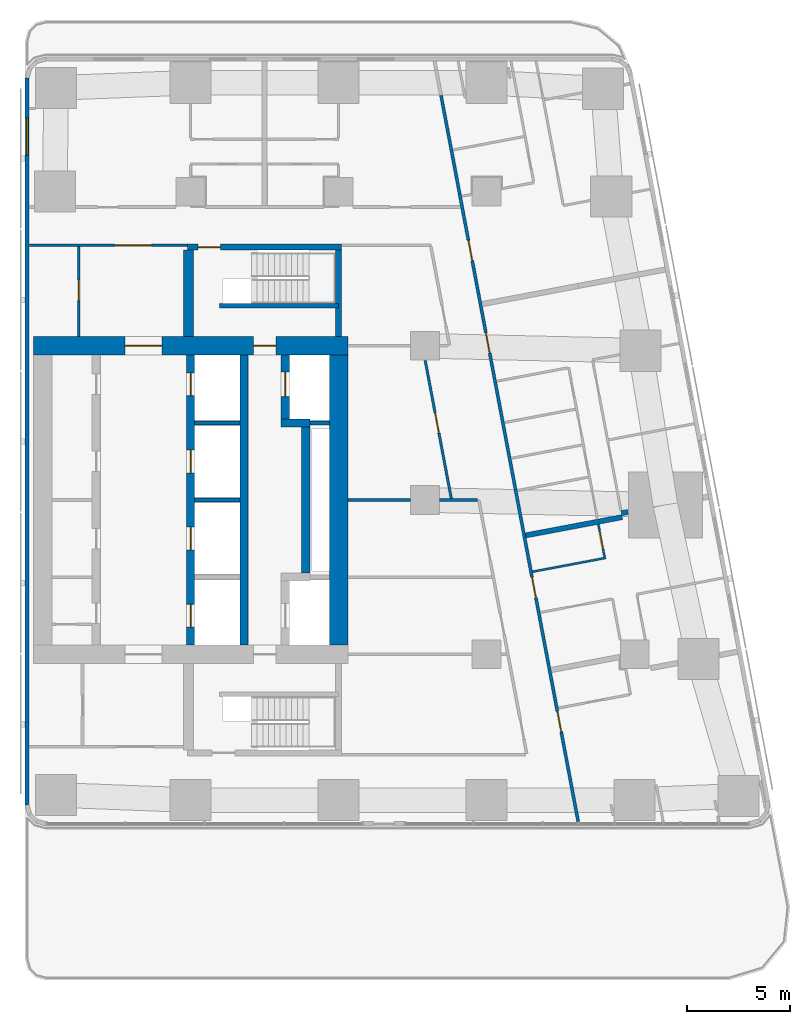
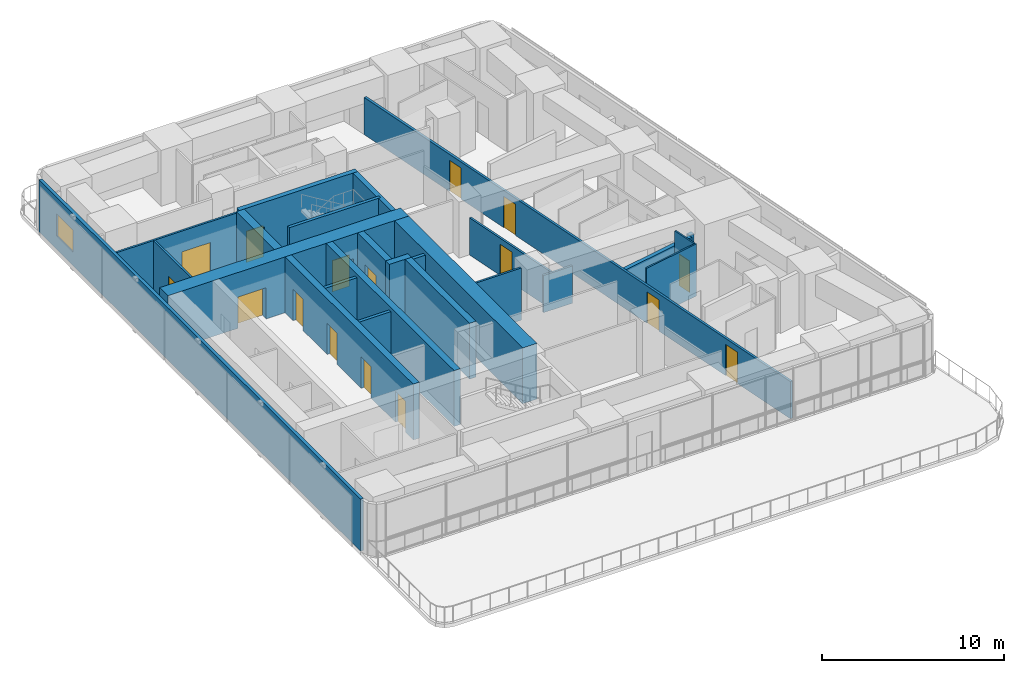
# One storey, part 6 of 12: 25 walls, 16 doors, 1 window, 17 openings.
"""IFC4 building model written with IfcOpenShell, lengths in metres."""

from ifc_helpers import new_model, si_unit, direction, frame, frame_2d, origin, place, context, subcontext, project, spatial, rectangle, extrude, material, layer, layer_set, type_object, element, fill, save


model = new_model("IFC4")

# Units and contexts
model_context = context("Model", 3, precision=1e-05, world=origin(), true_north=direction((0.0, 1.0)))
body_context = subcontext(model_context, "Body", "Model", "MODEL_VIEW")
ifc_project = project(units=[si_unit("LENGTHUNIT", "METRE"), si_unit("AREAUNIT", "SQUARE_METRE"), si_unit("VOLUMEUNIT", "CUBIC_METRE"), si_unit("PLANEANGLEUNIT", "RADIAN"), si_unit("MASSUNIT", "GRAM", prefix="KILO")], contexts=[model_context])

# Site, building, storey
site_placement = place(None, origin())
site = spatial("IfcSite", under=ifc_project, at=site_placement, CompositionType="ELEMENT")
building_placement = place(site_placement, origin())
building = spatial("IfcBuilding", under=site, at=building_placement, Name="Sheger Commons Tower", CompositionType="ELEMENT")
storey_placement = place(building_placement, frame((0.0, 0.0, 251.60009765625)))
storey = spatial("IfcBuildingStorey", under=building, at=storey_placement, Name="L64", CompositionType="ELEMENT", Elevation=251.60009765625)

# Wall, openings, doors
ifc_material_1 = material(Name="Concrete C50/60", Category="concrete")
ifc_layer_1 = layer(ifc_material_1, 0.39990234375)
ifc_layer_set_1 = layer_set([ifc_layer_1], Name="CORE INNER WALL 400")
wall_type_1 = type_object("IfcWallType", Name="CORE INNER WALL 400", PredefinedType="SHEAR", material=ifc_layer_set_1)
wall_1_placement = place(storey_placement, frame((21.60009765625, 15.449951171875, 0.0), z_axis=(0.0, 0.0, 1.0), x_axis=(0.0, 1.0, 0.0)))
wall_1 = element("IfcWall", 1, at=wall_1_placement, inside=storey, type_object=wall_type_1, Name="Core inner wall L L64", PredefinedType="SHEAR", context=body_context, shape_type="SweptSolid", body=[
    extrude(rectangle(XDim=14.10009765625, YDim=0.39990234375, at=frame_2d((7.050048828125, 0.0))), origin(), (0.0, 0.0, 1.0), 3.75),
])
opening_1_placement = place(wall_1_placement, frame((0.875, 0.0, 0.0)))
opening_1 = element("IfcOpeningElement", 2, at=opening_1_placement, cuts=wall_1, Name="Opening LD", PredefinedType="OPENING", context=body_context, shape_type="SweptSolid", body=[
    extrude(rectangle(XDim=1.10009765625, YDim=2.10009765625, at=frame_2d((0.550048828125, 1.050048828125))), frame((0.0, 0.2099609375, 0.0), z_axis=(0.0, -1.0, 0.0), x_axis=(1.0, 0.0, 0.0)), (0.0, 0.0, 1.0), 0.419921875),
])
opening_2_placement = place(wall_1_placement, frame((4.625, 0.0, 0.0)))
opening_2 = element("IfcOpeningElement", 3, at=opening_2_placement, cuts=wall_1, Name="Opening LD", PredefinedType="OPENING", context=body_context, shape_type="SweptSolid", body=[
    extrude(rectangle(XDim=1.10009765625, YDim=2.10009765625, at=frame_2d((0.550048828125, 1.050048828125))), frame((0.0, 0.2099609375, 0.0), z_axis=(0.0, -1.0, 0.0), x_axis=(1.0, 0.0, 0.0)), (0.0, 0.0, 1.0), 0.419921875),
])
opening_3_placement = place(wall_1_placement, frame((8.375, 0.0, 0.0)))
opening_3 = element("IfcOpeningElement", 4, at=opening_3_placement, cuts=wall_1, Name="Opening LD", PredefinedType="OPENING", context=body_context, shape_type="SweptSolid", body=[
    extrude(rectangle(XDim=1.10009765625, YDim=2.10009765625, at=frame_2d((0.550048828125, 1.050048828125))), frame((0.0, 0.2099609375, 0.0), z_axis=(0.0, -1.0, 0.0), x_axis=(1.0, 0.0, 0.0)), (0.0, 0.0, 1.0), 0.419921875),
])
opening_4_placement = place(wall_1_placement, frame((12.125, 0.0, 0.0)))
opening_4 = element("IfcOpeningElement", 5, at=opening_4_placement, cuts=wall_1, Name="Opening LD", PredefinedType="OPENING", context=body_context, shape_type="SweptSolid", body=[
    extrude(rectangle(XDim=1.10009765625, YDim=2.10009765625, at=frame_2d((0.550048828125, 1.050048828125))), frame((0.0, 0.2099609375, 0.0), z_axis=(0.0, -1.0, 0.0), x_axis=(1.0, 0.0, 0.0)), (0.0, 0.0, 1.0), 0.419921875),
])
ifc_material_2 = material(Name="Steel door set, fire rated", Category="steel")
door_type_1 = type_object("IfcDoorType", Name="LIFT LANDING DOOR 1100x2100", OperationType="DOUBLE_DOOR_SLIDING", PredefinedType="DOOR", material=ifc_material_2)
door_1_placement = place(opening_1_placement, origin())
door_1 = element("IfcDoor", 6, at=door_1_placement, inside=storey, type_object=door_type_1, Name="Lift LB1 landing door", OperationType="DOUBLE_DOOR_SLIDING", OverallHeight=2.10009765625, OverallWidth=1.10009765625, PredefinedType="DOOR", context=body_context, shape_type="SweptSolid", body=[
    extrude(rectangle(XDim=1.10009765625, YDim=2.10009765625, at=frame_2d((0.550048828125, 1.050048828125))), frame((0.0, 0.02490234375, 0.0), z_axis=(0.0, -1.0, 0.0), x_axis=(1.0, 0.0, 0.0)), (0.0, 0.0, 1.0), 0.050048828125),
])
fill(opening_1, door_1)
door_2_placement = place(opening_2_placement, origin())
door_2 = element("IfcDoor", 7, at=door_2_placement, inside=storey, type_object=door_type_1, Name="Lift LB2 landing door", OperationType="DOUBLE_DOOR_SLIDING", OverallHeight=2.10009765625, OverallWidth=1.10009765625, PredefinedType="DOOR", context=body_context, shape_type="SweptSolid", body=[
    extrude(rectangle(XDim=1.10009765625, YDim=2.10009765625, at=frame_2d((0.550048828125, 1.050048828125))), frame((0.0, 0.02490234375, 0.0), z_axis=(0.0, -1.0, 0.0), x_axis=(1.0, 0.0, 0.0)), (0.0, 0.0, 1.0), 0.050048828125),
])
fill(opening_2, door_2)
door_3_placement = place(opening_3_placement, origin())
door_3 = element("IfcDoor", 8, at=door_3_placement, inside=storey, type_object=door_type_1, Name="Lift LB3 landing door", OperationType="DOUBLE_DOOR_SLIDING", OverallHeight=2.10009765625, OverallWidth=1.10009765625, PredefinedType="DOOR", context=body_context, shape_type="SweptSolid", body=[
    extrude(rectangle(XDim=1.10009765625, YDim=2.10009765625, at=frame_2d((0.550048828125, 1.050048828125))), frame((0.0, 0.02490234375, 0.0), z_axis=(0.0, -1.0, 0.0), x_axis=(1.0, 0.0, 0.0)), (0.0, 0.0, 1.0), 0.050048828125),
])
fill(opening_3, door_3)
door_4_placement = place(opening_4_placement, origin())
door_4 = element("IfcDoor", 9, at=door_4_placement, inside=storey, type_object=door_type_1, Name="Lift LB4 landing door", OperationType="DOUBLE_DOOR_SLIDING", OverallHeight=2.10009765625, OverallWidth=1.10009765625, PredefinedType="DOOR", context=body_context, shape_type="SweptSolid", body=[
    extrude(rectangle(XDim=1.10009765625, YDim=2.10009765625, at=frame_2d((0.550048828125, 1.050048828125))), frame((0.0, 0.02490234375, 0.0), z_axis=(0.0, -1.0, 0.0), x_axis=(1.0, 0.0, 0.0)), (0.0, 0.0, 1.0), 0.050048828125),
])
fill(opening_4, door_4)

# Walls
wall_2_placement = place(storey_placement, frame((24.199951171875, 15.449951171875, 0.0), z_axis=(0.0, 0.0, 1.0), x_axis=(0.0, 1.0, 0.0)))
element("IfcWall", 10, at=wall_2_placement, inside=storey, type_object=wall_type_1, Name="Core inner wall B L64", PredefinedType="SHEAR", context=body_context, shape_type="SweptSolid", body=[
    extrude(rectangle(XDim=14.10009765625, YDim=0.39990234375, at=frame_2d((7.050048828125, 0.0))), origin(), (0.0, 0.0, 1.0), 3.75),
])
wall_3_placement = place(storey_placement, frame((27.199951171875, 18.949951171875, 0.0), z_axis=(0.0, 0.0, 1.0), x_axis=(0.0, 1.0, 0.0)))
element("IfcWall", 11, at=wall_3_placement, inside=storey, type_object=wall_type_1, Name="Core inner wall F middle L64", PredefinedType="SHEAR", context=body_context, shape_type="SweptSolid", body=[
    extrude(rectangle(XDim=7.10009765625, YDim=0.39990234375, at=frame_2d((3.550048828125, 0.0))), origin(), (0.0, 0.0, 1.0), 3.75),
])
wall_4_placement = place(storey_placement, frame((26.0, 26.25, 0.0), z_axis=(0.0, 0.0, 1.0), x_axis=(1.0, 0.0, 0.0)))
element("IfcWall", 12, at=wall_4_placement, inside=storey, type_object=wall_type_1, Name="Core inner wall F north return L64", PredefinedType="SHEAR", context=body_context, shape_type="SweptSolid", body=[
    extrude(rectangle(XDim=1.39990234375, YDim=0.39990234375, at=frame_2d((0.699951171875, 0.0))), origin(), (0.0, 0.0, 1.0), 3.75),
])

# Wall, opening, door
wall_5_placement = place(storey_placement, frame((26.199951171875, 26.449951171875, 0.0), z_axis=(0.0, 0.0, 1.0), x_axis=(0.0, 1.0, 0.0)))
wall_5 = element("IfcWall", 13, at=wall_5_placement, inside=storey, type_object=wall_type_1, Name="Core inner wall F north L64", PredefinedType="SHEAR", context=body_context, shape_type="SweptSolid", body=[
    extrude(rectangle(XDim=3.10009765625, YDim=0.39990234375, at=frame_2d((1.550048828125, 0.0))), origin(), (0.0, 0.0, 1.0), 3.75),
])
opening_5_placement = place(wall_5_placement, frame((1.074951171875, 0.0, 0.0)))
opening_5 = element("IfcOpeningElement", 14, at=opening_5_placement, cuts=wall_5, Name="Opening LD2", PredefinedType="OPENING", context=body_context, shape_type="SweptSolid", body=[
    extrude(rectangle(XDim=1.199951171875, YDim=2.10009765625, at=frame_2d((0.60009765625, 1.050048828125))), frame((0.0, 0.2099609375, 0.0), z_axis=(0.0, -1.0, 0.0), x_axis=(1.0, 0.0, 0.0)), (0.0, 0.0, 1.0), 0.419921875),
])
ifc_material_3 = material(Name="Steel door set, fire rated", Category="steel")
door_type_2 = type_object("IfcDoorType", Name="FIREFIGHTING LIFT LANDING DOOR 1200x2100", OperationType="DOUBLE_DOOR_SLIDING", PredefinedType="DOOR", material=ifc_material_3)
door_5_placement = place(opening_5_placement, origin())
door_5 = element("IfcDoor", 15, at=door_5_placement, inside=storey, type_object=door_type_2, Name="Lift FL2 landing door", OperationType="DOUBLE_DOOR_SLIDING", OverallHeight=2.10009765625, OverallWidth=1.199951171875, PredefinedType="DOOR", context=body_context, shape_type="SweptSolid", body=[
    extrude(rectangle(XDim=1.199951171875, YDim=2.10009765625, at=frame_2d((0.60009765625, 1.050048828125))), frame((0.0, 0.02490234375, 0.0), z_axis=(0.0, -1.0, 0.0), x_axis=(1.0, 0.0, 0.0)), (0.0, 0.0, 1.0), 0.050048828125),
])
fill(opening_5, door_5)

# Wall, openings, doors
ifc_material_4 = material(Name="Concrete C50/60", Category="concrete")
ifc_layer_2 = layer(ifc_material_4, 0.89990234375)
ifc_layer_set_2 = layer_set([ifc_layer_2], Name="CORE WALL 900")
wall_type_2 = type_object("IfcWallType", Name="CORE WALL 900", PredefinedType="SHEAR", material=ifc_layer_set_2)
wall_6_placement = place(storey_placement, frame((13.949951171875, 30.0, 0.0), z_axis=(0.0, 0.0, 1.0), x_axis=(1.0, 0.0, 0.0)))
wall_6 = element("IfcWall", 16, at=wall_6_placement, inside=storey, type_object=wall_type_2, Name="Core wall north L64", PredefinedType="SHEAR", context=body_context, shape_type="SweptSolid", body=[
    extrude(rectangle(XDim=15.300048828125, YDim=0.89990234375, at=frame_2d((7.64990234375, 0.0))), origin(), (0.0, 0.0, 1.0), 3.75),
])
opening_6_placement = place(wall_6_placement, frame((4.449951171875, 0.0, 0.0)))
opening_6 = element("IfcOpeningElement", 17, at=opening_6_placement, cuts=wall_6, Name="Opening D6", PredefinedType="OPENING", context=body_context, shape_type="SweptSolid", body=[
    extrude(rectangle(XDim=1.800048828125, YDim=2.10009765625, at=frame_2d((0.89990234375, 1.050048828125))), frame((0.0, 0.4599609375, 0.0), z_axis=(0.0, -1.0, 0.0), x_axis=(1.0, 0.0, 0.0)), (0.0, 0.0, 1.0), 0.919921875),
])
opening_7_placement = place(wall_6_placement, frame((10.699951171875, 0.0, 0.0)))
opening_7 = element("IfcOpeningElement", 18, at=opening_7_placement, cuts=wall_6, Name="Opening D5", PredefinedType="OPENING", context=body_context, shape_type="SweptSolid", body=[
    extrude(rectangle(XDim=1.10009765625, YDim=2.10009765625, at=frame_2d((0.550048828125, 1.050048828125))), frame((0.0, 0.4599609375, 0.0), z_axis=(0.0, -1.0, 0.0), x_axis=(1.0, 0.0, 0.0)), (0.0, 0.0, 1.0), 0.919921875),
])
ifc_material_5 = material(Name="Steel door set, fire rated", Category="steel")
door_type_3 = type_object("IfcDoorType", Name="LOBBY DOUBLE DOOR 1800x2100", OperationType="DOUBLE_DOOR_SINGLE_SWING", PredefinedType="DOOR", material=ifc_material_5)
door_6_placement = place(opening_6_placement, origin())
door_6 = element("IfcDoor", 19, at=door_6_placement, inside=storey, type_object=door_type_3, Name="Lift lobby door", OperationType="DOUBLE_DOOR_SINGLE_SWING", OverallHeight=2.10009765625, OverallWidth=1.800048828125, PredefinedType="DOOR", context=body_context, shape_type="SweptSolid", body=[
    extrude(rectangle(XDim=1.800048828125, YDim=2.10009765625, at=frame_2d((0.89990234375, 1.050048828125))), frame((0.0, 0.02490234375, 0.0), z_axis=(0.0, -1.0, 0.0), x_axis=(1.0, 0.0, 0.0)), (0.0, 0.0, 1.0), 0.050048828125),
])
fill(opening_6, door_6)
ifc_material_6 = material(Name="Steel door set, fire rated", Category="steel")
door_type_4 = type_object("IfcDoorType", Name="STAIR DOOR 1100x2100", OperationType="NOTDEFINED", PredefinedType="DOOR", material=ifc_material_6)
door_7_placement = place(opening_7_placement, origin())
door_7 = element("IfcDoor", 20, at=door_7_placement, inside=storey, type_object=door_type_4, Name="Fire-fighting lobby door", OperationType="SINGLE_SWING_LEFT", OverallHeight=2.10009765625, OverallWidth=1.10009765625, PredefinedType="DOOR", context=body_context, shape_type="SweptSolid", body=[
    extrude(rectangle(XDim=1.10009765625, YDim=2.10009765625, at=frame_2d((0.550048828125, 1.050048828125))), frame((0.0, 0.02490234375, 0.0), z_axis=(0.0, -1.0, 0.0), x_axis=(1.0, 0.0, 0.0)), (0.0, 0.0, 1.0), 0.050048828125),
])
fill(opening_7, door_7)

# Wall
wall_7_placement = place(storey_placement, frame((28.800048828125, 15.449951171875, 0.0), z_axis=(0.0, 0.0, 1.0), x_axis=(0.0, 1.0, 0.0)))
element("IfcWall", 21, at=wall_7_placement, inside=storey, type_object=wall_type_2, Name="Core wall east L64", PredefinedType="SHEAR", context=body_context, shape_type="SweptSolid", body=[
    extrude(rectangle(XDim=14.10009765625, YDim=0.89990234375, at=frame_2d((7.050048828125, 0.0))), origin(), (0.0, 0.0, 1.0), 3.75),
])

# Wall, openings, doors
ifc_material_7 = material(Name="Hollow concrete block masonry, skimmed both sides", Category="masonry")
ifc_layer_3 = layer(ifc_material_7, 0.14990234375)
ifc_layer_set_3 = layer_set([ifc_layer_3], Name="CORRIDOR WALL 150")
wall_type_3 = type_object("IfcWallType", Name="CORRIDOR WALL 150", PredefinedType="SOLIDWALL", material=ifc_layer_set_3)
wall_8_placement = place(storey_placement, frame((33.781005859375, 42.18603515625, 0.0), z_axis=(0.0, 0.0, 1.0), x_axis=(0.185593518645, -0.9826266055, 0.0)))
wall_8 = element("IfcWall", 22, at=wall_8_placement, inside=storey, type_object=wall_type_3, Name="Corridor wall L64", PredefinedType="SOLIDWALL", context=body_context, shape_type="SweptSolid", body=[
    extrude(rectangle(XDim=35.960693359375, YDim=0.14990234375, at=frame_2d((17.98046875, 0.0))), origin(), (0.0, 0.0, 1.0), 2.5),
])
opening_8_placement = place(wall_8_placement, frame((7.18310546875, 0.0, 0.0)))
opening_8 = element("IfcOpeningElement", 23, at=opening_8_placement, cuts=wall_8, Name="Opening D1", PredefinedType="OPENING", context=body_context, shape_type="SweptSolid", body=[
    extrude(rectangle(XDim=1.0, YDim=2.10009765625, at=frame_2d((0.5, 1.050048828125))), frame((0.0, 0.0849609375, 0.0), z_axis=(0.0, -1.0, 0.0), x_axis=(1.0, 0.0, 0.0)), (0.0, 0.0, 1.0), 0.169921875),
])
opening_9_placement = place(wall_8_placement, frame((11.760009765625, 0.0, 0.0)))
opening_9 = element("IfcOpeningElement", 24, at=opening_9_placement, cuts=wall_8, Name="Opening D1", PredefinedType="OPENING", context=body_context, shape_type="SweptSolid", body=[
    extrude(rectangle(XDim=1.0, YDim=2.10009765625, at=frame_2d((0.5, 1.050048828125))), frame((0.0, 0.0849609375, 0.0), z_axis=(0.0, -1.0, 0.0), x_axis=(1.0, 0.0, 0.0)), (0.0, 0.0, 1.0), 0.169921875),
])
opening_10_placement = place(wall_8_placement, frame((23.863037109375, 0.0, 0.0)))
opening_10 = element("IfcOpeningElement", 25, at=opening_10_placement, cuts=wall_8, Name="Opening D1", PredefinedType="OPENING", context=body_context, shape_type="SweptSolid", body=[
    extrude(rectangle(XDim=1.0, YDim=2.10009765625, at=frame_2d((0.5, 1.050048828125))), frame((0.0, 0.0849609375, 0.0), z_axis=(0.0, -1.0, 0.0), x_axis=(1.0, 0.0, 0.0)), (0.0, 0.0, 1.0), 0.169921875),
])
opening_11_placement = place(wall_8_placement, frame((30.501953125, 0.0, 0.0)))
opening_11 = element("IfcOpeningElement", 26, at=opening_11_placement, cuts=wall_8, Name="Opening D1", PredefinedType="OPENING", context=body_context, shape_type="SweptSolid", body=[
    extrude(rectangle(XDim=1.0, YDim=2.10009765625, at=frame_2d((0.5, 1.050048828125))), frame((0.0, 0.0849609375, 0.0), z_axis=(0.0, -1.0, 0.0), x_axis=(1.0, 0.0, 0.0)), (0.0, 0.0, 1.0), 0.169921875),
])
ifc_material_8 = material(Name="Steel door set, fire rated", Category="steel")
door_type_5 = type_object("IfcDoorType", Name="FLAT ENTRANCE DOOR 1000x2100", OperationType="NOTDEFINED", PredefinedType="DOOR", material=ifc_material_8)
door_8_placement = place(opening_8_placement, origin())
door_8 = element("IfcDoor", 27, at=door_8_placement, inside=storey, type_object=door_type_5, Name="Flat entrance door", OperationType="SINGLE_SWING_RIGHT", OverallHeight=2.10009765625, OverallWidth=1.0, PredefinedType="DOOR", context=body_context, shape_type="SweptSolid", body=[
    extrude(rectangle(XDim=1.0, YDim=2.10009765625, at=frame_2d((0.5, 1.050048828125))), frame((0.0, 0.02490234375, 0.0), z_axis=(0.0, -1.0, 0.0), x_axis=(1.0, 0.0, 0.0)), (0.0, 0.0, 1.0), 0.050048828125),
])
fill(opening_8, door_8)
door_9_placement = place(opening_9_placement, origin())
door_9 = element("IfcDoor", 28, at=door_9_placement, inside=storey, type_object=door_type_5, Name="Flat entrance door", OperationType="SINGLE_SWING_RIGHT", OverallHeight=2.10009765625, OverallWidth=1.0, PredefinedType="DOOR", context=body_context, shape_type="SweptSolid", body=[
    extrude(rectangle(XDim=1.0, YDim=2.10009765625, at=frame_2d((0.5, 1.050048828125))), frame((0.0, 0.02490234375, 0.0), z_axis=(0.0, -1.0, 0.0), x_axis=(1.0, 0.0, 0.0)), (0.0, 0.0, 1.0), 0.050048828125),
])
fill(opening_9, door_9)
door_10_placement = place(opening_10_placement, origin())
door_10 = element("IfcDoor", 29, at=door_10_placement, inside=storey, type_object=door_type_5, Name="Flat entrance door", OperationType="SINGLE_SWING_LEFT", OverallHeight=2.10009765625, OverallWidth=1.0, PredefinedType="DOOR", context=body_context, shape_type="SweptSolid", body=[
    extrude(rectangle(XDim=1.0, YDim=2.10009765625, at=frame_2d((0.5, 1.050048828125))), frame((0.0, 0.02490234375, 0.0), z_axis=(0.0, -1.0, 0.0), x_axis=(1.0, 0.0, 0.0)), (0.0, 0.0, 1.0), 0.050048828125),
])
fill(opening_10, door_10)
door_11_placement = place(opening_11_placement, origin())
door_11 = element("IfcDoor", 30, at=door_11_placement, inside=storey, type_object=door_type_5, Name="Flat entrance door", OperationType="SINGLE_SWING_LEFT", OverallHeight=2.10009765625, OverallWidth=1.0, PredefinedType="DOOR", context=body_context, shape_type="SweptSolid", body=[
    extrude(rectangle(XDim=1.0, YDim=2.10009765625, at=frame_2d((0.5, 1.050048828125))), frame((0.0, 0.02490234375, 0.0), z_axis=(0.0, -1.0, 0.0), x_axis=(1.0, 0.0, 0.0)), (0.0, 0.0, 1.0), 0.050048828125),
])
fill(opening_11, door_11)

# Walls
ifc_material_9 = material(Name="Dense concrete block masonry, plastered both sides (separating wall between flats)", Category="masonry")
ifc_layer_4 = layer(ifc_material_9, 0.25)
ifc_layer_set_4 = layer_set([ifc_layer_4], Name="DEMISING WALL 250")
wall_type_4 = type_object("IfcWallType", Name="DEMISING WALL 250", PredefinedType="SOLIDWALL", material=ifc_layer_set_4)
wall_9_placement = place(storey_placement, frame((42.873046875, 21.91796875, 0.0), z_axis=(0.0, 0.0, 1.0), x_axis=(-0.982431406936, -0.186624035603, 0.0)))
element("IfcWall", 31, at=wall_9_placement, inside=storey, type_object=wall_type_4, Name="Demising wall L64", PredefinedType="SOLIDWALL", context=body_context, shape_type="SweptSolid", body=[
    extrude(rectangle(XDim=0.32177734375, YDim=0.25, at=frame_2d((0.160888671875, 0.0))), origin(), (0.0, 0.0, 1.0), 2.5),
])
wall_10_placement = place(storey_placement, frame((42.593017578125, 21.6650390625, 0.0), z_axis=(0.0, 0.0, 1.0), x_axis=(-0.982635807605, -0.185544791394, 0.0)))
element("IfcWall", 32, at=wall_10_placement, inside=storey, type_object=wall_type_4, Name="Demising wall L64", PredefinedType="SOLIDWALL", context=body_context, shape_type="SweptSolid", body=[
    extrude(rectangle(XDim=4.775146484375, YDim=0.25, at=frame_2d((2.3876953125, 0.0))), origin(), (0.0, 0.0, 1.0), 2.5),
])

# Wall, opening, window
ifc_material_10 = material(Name="Rendered concrete block masonry, dark grey", Category="masonry")
ifc_layer_5 = layer(ifc_material_10, 0.199951171875)
ifc_layer_set_5 = layer_set([ifc_layer_5], Name="FACADE WALL 200")
wall_type_5 = type_object("IfcWallType", Name="FACADE WALL 200", PredefinedType="SOLIDWALL", material=ifc_layer_set_5)
wall_11_placement = place(storey_placement, frame((13.64990234375, 43.037109375, 0.0), z_axis=(0.0, 0.0, 1.0), x_axis=(0.0, -1.0, 0.0)))
wall_11 = element("IfcWall", 33, at=wall_11_placement, inside=storey, type_object=wall_type_5, Name="Facade wall L64", PredefinedType="SOLIDWALL", context=body_context, shape_type="SweptSolid", body=[
    extrude(rectangle(XDim=35.3740234375, YDim=0.199951171875, at=frame_2d((17.68701171875, 0.0))), origin(), (0.0, 0.0, 1.0), 3.5),
])
opening_12_placement = place(wall_11_placement, frame((1.958984375, 0.0, 0.89990234375)))
opening_12 = element("IfcOpeningElement", 34, at=opening_12_placement, cuts=wall_11, Name="Opening W2", PredefinedType="OPENING", context=body_context, shape_type="SweptSolid", body=[
    extrude(rectangle(XDim=1.800048828125, YDim=1.5, at=frame_2d((0.89990234375, 0.75))), frame((0.0, 0.10986328125, 0.0), z_axis=(0.0, -1.0, 0.0), x_axis=(1.0, 0.0, 0.0)), (0.0, 0.0, 1.0), 0.219970703125),
])
ifc_material_11 = material(Name="Black aluminium frame, dark tinted double glazing", Category="aluminium")
window_type = type_object("IfcWindowType", Name="WINDOW W2 1800x1500", PartitioningType="SINGLE_PANEL", PredefinedType="WINDOW", material=ifc_material_11)
window_placement = place(opening_12_placement, origin())
window = element("IfcWindow", 35, at=window_placement, inside=storey, type_object=window_type, Name="Window W2 1800X1500", OverallHeight=1.5, OverallWidth=1.800048828125, PartitioningType="SINGLE_PANEL", PredefinedType="WINDOW", context=body_context, shape_type="SweptSolid", body=[
    extrude(rectangle(XDim=1.800048828125, YDim=1.5, at=frame_2d((0.89990234375, 0.75))), frame((0.0, 0.030029296875, 0.0), z_axis=(0.0, -1.0, 0.0), x_axis=(1.0, 0.0, 0.0)), (0.0, 0.0, 1.0), 0.06005859375),
])
fill(opening_12, window)

# Wall, opening, door
ifc_material_12 = material(Name="Gypsum board on steel studs", Category="steel")
ifc_layer_6 = layer(ifc_material_12, 0.10009765625)
ifc_layer_set_6 = layer_set([ifc_layer_6], Name="PARTITION 100")
wall_type_6 = type_object("IfcWallType", Name="PARTITION 100", PredefinedType="PARTITIONING", material=ifc_layer_set_6)
wall_12_placement = place(storey_placement, frame((41.43701171875, 21.319091796875, 0.0), z_axis=(0.0, 0.0, 1.0), x_axis=(0.185793689589, -0.982588777113, 0.0)))
wall_12 = element("IfcWall", 36, at=wall_12_placement, inside=storey, type_object=wall_type_6, Name="Partition L64", PredefinedType="PARTITIONING", context=body_context, shape_type="SweptSolid", body=[
    extrude(rectangle(XDim=1.62548828125, YDim=0.10009765625, at=frame_2d((0.812744140625, 0.0))), origin(), (0.0, 0.0, 1.0), 3.5),
])
opening_13_placement = place(wall_12_placement, frame((0.324951171875, 0.0, 0.0)))
opening_13 = element("IfcOpeningElement", 37, at=opening_13_placement, cuts=wall_12, Name="Opening D2", PredefinedType="OPENING", context=body_context, shape_type="SweptSolid", body=[
    extrude(rectangle(XDim=0.89990234375, YDim=2.10009765625, at=frame_2d((0.449951171875, 1.050048828125))), frame((0.0, 0.06005859375, 0.0), z_axis=(0.0, -1.0, 0.0), x_axis=(1.0, 0.0, 0.0)), (0.0, 0.0, 1.0), 0.1201171875),
])
ifc_material_13 = material(Name="Timber door set", Category="wood")
door_type_6 = type_object("IfcDoorType", Name="INTERNAL DOOR 900x2100", OperationType="NOTDEFINED", PredefinedType="DOOR", material=ifc_material_13)
door_12_placement = place(opening_13_placement, origin())
door_12 = element("IfcDoor", 38, at=door_12_placement, inside=storey, type_object=door_type_6, Name="Shower room door", OperationType="SINGLE_SWING_RIGHT", OverallHeight=2.10009765625, OverallWidth=0.89990234375, PredefinedType="DOOR", context=body_context, shape_type="SweptSolid", body=[
    extrude(rectangle(XDim=0.89990234375, YDim=2.10009765625, at=frame_2d((0.449951171875, 1.050048828125))), frame((0.0, 0.02490234375, 0.0), z_axis=(0.0, -1.0, 0.0), x_axis=(1.0, 0.0, 0.0)), (0.0, 0.0, 1.0), 0.050048828125),
])
fill(opening_13, door_12)

# Wall
wall_13_placement = place(storey_placement, frame((41.798095703125, 19.681884765625, 0.0), z_axis=(0.0, 0.0, 1.0), x_axis=(-0.982681091817, -0.185304807776, 0.0)))
element("IfcWall", 39, at=wall_13_placement, inside=storey, type_object=wall_type_6, Name="Partition L64", PredefinedType="PARTITIONING", context=body_context, shape_type="SweptSolid", body=[
    extrude(rectangle(XDim=3.625732421875, YDim=0.10009765625, at=frame_2d((1.81298828125, 0.0))), origin(), (0.0, 0.0, 1.0), 3.5),
])

# Wall, opening, door
ifc_material_14 = material(Name="Gypsum board on steel studs, two layers each side, fire rated", Category="steel")
ifc_layer_7 = layer(ifc_material_14, 0.125)
ifc_layer_set_7 = layer_set([ifc_layer_7], Name="SERVICE WALL 125")
wall_type_7 = type_object("IfcWallType", Name="SERVICE WALL 125", PredefinedType="PARTITIONING", material=ifc_layer_set_7)
wall_14_placement = place(storey_placement, frame((13.75, 34.89990234375, 0.0), z_axis=(0.0, 0.0, 1.0), x_axis=(1.0, 0.0, 0.0)))
wall_14 = element("IfcWall", 40, at=wall_14_placement, inside=storey, type_object=wall_type_7, Name="Service room wall L64", PredefinedType="PARTITIONING", context=body_context, shape_type="SweptSolid", body=[
    extrude(rectangle(XDim=7.699951171875, YDim=0.125, at=frame_2d((3.85009765625, 0.0))), origin(), (0.0, 0.0, 1.0), 3.5),
])
opening_14_placement = place(wall_14_placement, frame((4.14990234375, 0.0, 0.0)))
opening_14 = element("IfcOpeningElement", 41, at=opening_14_placement, cuts=wall_14, Name="Opening D6", PredefinedType="OPENING", context=body_context, shape_type="SweptSolid", body=[
    extrude(rectangle(XDim=1.800048828125, YDim=2.10009765625, at=frame_2d((0.89990234375, 1.050048828125))), frame((0.0, 0.072509765625, 0.0), z_axis=(0.0, -1.0, 0.0), x_axis=(1.0, 0.0, 0.0)), (0.0, 0.0, 1.0), 0.14501953125),
])
door_13_placement = place(opening_14_placement, origin())
door_13 = element("IfcDoor", 42, at=door_13_placement, inside=storey, type_object=door_type_3, Name="Lift lobby north door", OperationType="DOUBLE_DOOR_SINGLE_SWING", OverallHeight=2.10009765625, OverallWidth=1.800048828125, PredefinedType="DOOR", context=body_context, shape_type="SweptSolid", body=[
    extrude(rectangle(XDim=1.800048828125, YDim=2.10009765625, at=frame_2d((0.89990234375, 1.050048828125))), frame((0.0, 0.02490234375, 0.0), z_axis=(0.0, -1.0, 0.0), x_axis=(1.0, 0.0, 0.0)), (0.0, 0.0, 1.0), 0.050048828125),
])
fill(opening_14, door_13)

wall_15_placement = place(storey_placement, frame((16.14990234375, 30.449951171875, 0.0), z_axis=(0.0, 0.0, 1.0), x_axis=(0.0, 1.0, 0.0)))
wall_15 = element("IfcWall", 43, at=wall_15_placement, inside=storey, type_object=wall_type_7, Name="Service room wall L64", PredefinedType="PARTITIONING", context=body_context, shape_type="SweptSolid", body=[
    extrude(rectangle(XDim=4.386962890625, YDim=0.125, at=frame_2d((2.193359375, 0.0))), origin(), (0.0, 0.0, 1.0), 3.5),
])
opening_15_placement = place(wall_15_placement, frame((1.75, 0.0, 0.0)))
opening_15 = element("IfcOpeningElement", 44, at=opening_15_placement, cuts=wall_15, Name="Opening D4", PredefinedType="OPENING", context=body_context, shape_type="SweptSolid", body=[
    extrude(rectangle(XDim=1.0, YDim=2.10009765625, at=frame_2d((0.5, 1.050048828125))), frame((0.0, 0.072509765625, 0.0), z_axis=(0.0, -1.0, 0.0), x_axis=(1.0, 0.0, 0.0)), (0.0, 0.0, 1.0), 0.14501953125),
])
ifc_material_15 = material(Name="Steel door set, fire rated", Category="steel")
door_type_7 = type_object("IfcDoorType", Name="SERVICE DOOR 1000x2100", OperationType="NOTDEFINED", PredefinedType="DOOR", material=ifc_material_15)
door_14_placement = place(opening_15_placement, origin())
door_14 = element("IfcDoor", 45, at=door_14_placement, inside=storey, type_object=door_type_7, Name="Telecom room door", OperationType="SINGLE_SWING_RIGHT", OverallHeight=2.10009765625, OverallWidth=1.0, PredefinedType="DOOR", context=body_context, shape_type="SweptSolid", body=[
    extrude(rectangle(XDim=1.0, YDim=2.10009765625, at=frame_2d((0.5, 1.050048828125))), frame((0.0, 0.02490234375, 0.0), z_axis=(0.0, -1.0, 0.0), x_axis=(1.0, 0.0, 0.0)), (0.0, 0.0, 1.0), 0.050048828125),
])
fill(opening_15, door_14)

wall_16_placement = place(storey_placement, frame((34.280029296875, 22.573974609375, 0.0), z_axis=(0.0, 0.0, 1.0), x_axis=(-0.185610991981, 0.982623305064, 0.0)))
wall_16 = element("IfcWall", 46, at=wall_16_placement, inside=storey, type_object=wall_type_7, Name="Service room wall L64", PredefinedType="PARTITIONING", context=body_context, shape_type="SweptSolid", body=[
    extrude(rectangle(XDim=6.831787109375, YDim=0.125, at=frame_2d((3.416015625, 0.0))), origin(), (0.0, 0.0, 1.0), 2.5),
])
opening_16_placement = place(wall_16_placement, frame((3.240966796875, 0.0, 0.0)))
opening_16 = element("IfcOpeningElement", 47, at=opening_16_placement, cuts=wall_16, Name="Opening D4", PredefinedType="OPENING", context=body_context, shape_type="SweptSolid", body=[
    extrude(rectangle(XDim=1.0, YDim=2.10009765625, at=frame_2d((0.5, 1.050048828125))), frame((0.0, 0.072509765625, 0.0), z_axis=(0.0, -1.0, 0.0), x_axis=(1.0, 0.0, 0.0)), (0.0, 0.0, 1.0), 0.14501953125),
])
door_15_placement = place(opening_16_placement, origin())
door_15 = element("IfcDoor", 48, at=door_15_placement, inside=storey, type_object=door_type_7, Name="Residents' lounge door", OperationType="SINGLE_SWING_RIGHT", OverallHeight=2.10009765625, OverallWidth=1.0, PredefinedType="DOOR", context=body_context, shape_type="SweptSolid", body=[
    extrude(rectangle(XDim=1.0, YDim=2.10009765625, at=frame_2d((0.5, 1.050048828125))), frame((0.0, 0.02490234375, 0.0), z_axis=(0.0, -1.0, 0.0), x_axis=(1.0, 0.0, 0.0)), (0.0, 0.0, 1.0), 0.050048828125),
])
fill(opening_16, door_15)

# Walls
wall_17_placement = place(storey_placement, frame((29.25, 22.5, 0.0), z_axis=(0.0, 0.0, 1.0), x_axis=(1.0, 0.0, 0.0)))
element("IfcWall", 49, at=wall_17_placement, inside=storey, type_object=wall_type_7, Name="Service room wall L64", PredefinedType="PARTITIONING", context=body_context, shape_type="SweptSolid", body=[
    extrude(rectangle(XDim=3.049072265625, YDim=0.125, at=frame_2d((1.5244140625, 0.0))), origin(), (0.0, 0.0, 1.0), 3.5),
])
wall_18_placement = place(storey_placement, frame((33.700927734375, 22.5, 0.0), z_axis=(0.0, 0.0, 1.0), x_axis=(1.0, 0.0, 0.0)))
element("IfcWall", 50, at=wall_18_placement, inside=storey, type_object=wall_type_7, Name="Service room wall L64", PredefinedType="PARTITIONING", context=body_context, shape_type="SweptSolid", body=[
    extrude(rectangle(XDim=1.85498046875, YDim=0.125, at=frame_2d((0.927490234375, 0.0))), origin(), (0.0, 0.0, 1.0), 2.5),
])
ifc_material_16 = material(Name="Hollow concrete block masonry", Category="masonry")
ifc_layer_8 = layer(ifc_material_16, 0.199951171875)
ifc_layer_set_8 = layer_set([ifc_layer_8], Name="SHAFT WALL 200")
wall_type_8 = type_object("IfcWallType", Name="SHAFT WALL 200", PredefinedType="SOLIDWALL", material=ifc_layer_set_8)
for number, where, z_axis, x_axis, name in (
    (51, (21.800048828125, 22.5, 0.0), (0.0, 0.0, 1.0), (1.0, 0.0, 0.0), "Lift shaft wall L64"),
    (52, (21.800048828125, 26.25, 0.0), (0.0, 0.0, 1.0), (1.0, 0.0, 0.0), "Lift shaft wall L64"),
):
    element("IfcWall", number, at=place(storey_placement, frame(where, z_axis=z_axis, x_axis=x_axis)), inside=storey, type_object=wall_type_8, Name=name, PredefinedType="SOLIDWALL", context=body_context, shape_type="SweptSolid", body=[
        extrude(rectangle(XDim=2.199951171875, YDim=0.199951171875, at=frame_2d((1.10009765625, 0.0))), origin(), (0.0, 0.0, 1.0), 3.5),
    ])
wall_19_placement = place(storey_placement, frame((27.39990234375, 26.25, 0.0), z_axis=(0.0, 0.0, 1.0), x_axis=(1.0, 0.0, 0.0)))
element("IfcWall", 53, at=wall_19_placement, inside=storey, type_object=wall_type_8, Name="Lift shaft wall L64", PredefinedType="SOLIDWALL", context=body_context, shape_type="SweptSolid", body=[
    extrude(rectangle(XDim=0.9501953125, YDim=0.199951171875, at=frame_2d((0.47509765625, 0.0))), origin(), (0.0, 0.0, 1.0), 3.5),
])

# Wall, opening, door
ifc_material_17 = material(Name="Concrete C50/60", Category="concrete")
ifc_layer_9 = layer(ifc_material_17, 0.300048828125)
ifc_layer_set_9 = layer_set([ifc_layer_9], Name="STAIR CORE WALL 300")
wall_type_9 = type_object("IfcWallType", Name="STAIR CORE WALL 300", PredefinedType="SHEAR", material=ifc_layer_set_9)
wall_20_placement = place(storey_placement, frame((21.449951171875, 34.800048828125, 0.0), z_axis=(0.0, 0.0, 1.0), x_axis=(1.0, 0.0, 0.0)))
wall_20 = element("IfcWall", 54, at=wall_20_placement, inside=storey, type_object=wall_type_9, Name="STW-L64-S2N", PredefinedType="SHEAR", context=body_context, shape_type="SweptSolid", body=[
    extrude(rectangle(XDim=7.5, YDim=0.300048828125, at=frame_2d((3.75, 0.0))), origin(), (0.0, 0.0, 1.0), 3.75),
])
opening_17_placement = place(wall_20_placement, frame((0.5, 0.0, 0.0)))
opening_17 = element("IfcOpeningElement", 55, at=opening_17_placement, cuts=wall_20, Name="Opening D5", PredefinedType="OPENING", context=body_context, shape_type="SweptSolid", body=[
    extrude(rectangle(XDim=1.10009765625, YDim=2.10009765625, at=frame_2d((0.550048828125, 1.050048828125))), frame((0.0, 0.159912109375, 0.0), z_axis=(0.0, -1.0, 0.0), x_axis=(1.0, 0.0, 0.0)), (0.0, 0.0, 1.0), 0.320068359375),
])
door_16_placement = place(opening_17_placement, origin())
door_16 = element("IfcDoor", 56, at=door_16_placement, inside=storey, type_object=door_type_4, Name="Stair S2 door", OperationType="SINGLE_SWING_RIGHT", OverallHeight=2.10009765625, OverallWidth=1.10009765625, PredefinedType="DOOR", context=body_context, shape_type="SweptSolid", body=[
    extrude(rectangle(XDim=1.10009765625, YDim=2.10009765625, at=frame_2d((0.550048828125, 1.050048828125))), frame((0.0, 0.02490234375, 0.0), z_axis=(0.0, -1.0, 0.0), x_axis=(1.0, 0.0, 0.0)), (0.0, 0.0, 1.0), 0.050048828125),
])
fill(opening_17, door_16)

# Walls
wall_21_placement = place(storey_placement, frame((28.800048828125, 30.449951171875, 0.0), z_axis=(0.0, 0.0, 1.0), x_axis=(0.0, 1.0, 0.0)))
element("IfcWall", 57, at=wall_21_placement, inside=storey, type_object=wall_type_9, Name="STW-L64-S2E", PredefinedType="SHEAR", context=body_context, shape_type="SweptSolid", body=[
    extrude(rectangle(XDim=4.199951171875, YDim=0.300048828125, at=frame_2d((2.10009765625, 0.0))), origin(), (0.0, 0.0, 1.0), 3.75),
])
ifc_material_18 = material(Name="Concrete C50/60", Category="concrete")
ifc_layer_10 = layer(ifc_material_18, 0.5)
ifc_layer_set_10 = layer_set([ifc_layer_10], Name="STAIR CORE WALL 500")
wall_type_10 = type_object("IfcWallType", Name="STAIR CORE WALL 500", PredefinedType="SHEAR", material=ifc_layer_set_10)
wall_22_placement = place(storey_placement, frame((21.5, 30.449951171875, 0.0), z_axis=(0.0, 0.0, 1.0), x_axis=(0.0, 1.0, 0.0)))
element("IfcWall", 58, at=wall_22_placement, inside=storey, type_object=wall_type_10, Name="STW-L64-S2W", PredefinedType="SHEAR", context=body_context, shape_type="SweptSolid", body=[
    extrude(rectangle(XDim=4.199951171875, YDim=0.5, at=frame_2d((2.10009765625, 0.0))), origin(), (0.0, 0.0, 1.0), 3.75),
])
ifc_material_19 = material(Name="Concrete C50/60", Category="concrete")
ifc_layer_11 = layer(ifc_material_19, 0.199951171875)
ifc_layer_set_11 = layer_set([ifc_layer_11], Name="STAIR SPINE WALL 200")
wall_type_11 = type_object("IfcWallType", Name="STAIR SPINE WALL 200", PredefinedType="SHEAR", material=ifc_layer_set_11)
wall_23_placement = place(storey_placement, frame((23.0, 31.949951171875, 0.0), z_axis=(0.0, 0.0, 1.0), x_axis=(1.0, 0.0, 0.0)))
element("IfcWall", 59, at=wall_23_placement, inside=storey, type_object=wall_type_11, Name="Stair spine wall L64", PredefinedType="SHEAR", context=body_context, shape_type="SweptSolid", body=[
    extrude(rectangle(XDim=5.800048828125, YDim=0.199951171875, at=frame_2d((2.89990234375, 0.0))), origin(), (0.0, 0.0, 1.0), 3.75),
])

save(model, "model.ifc")
